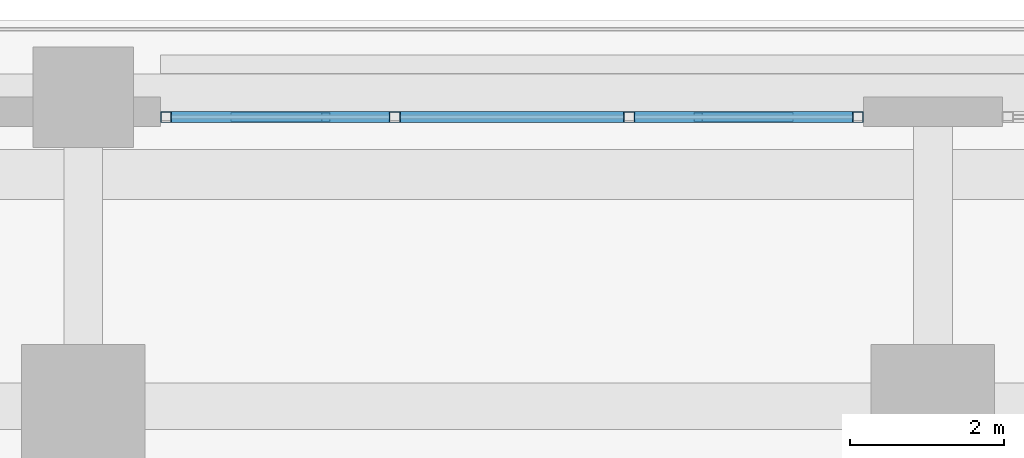
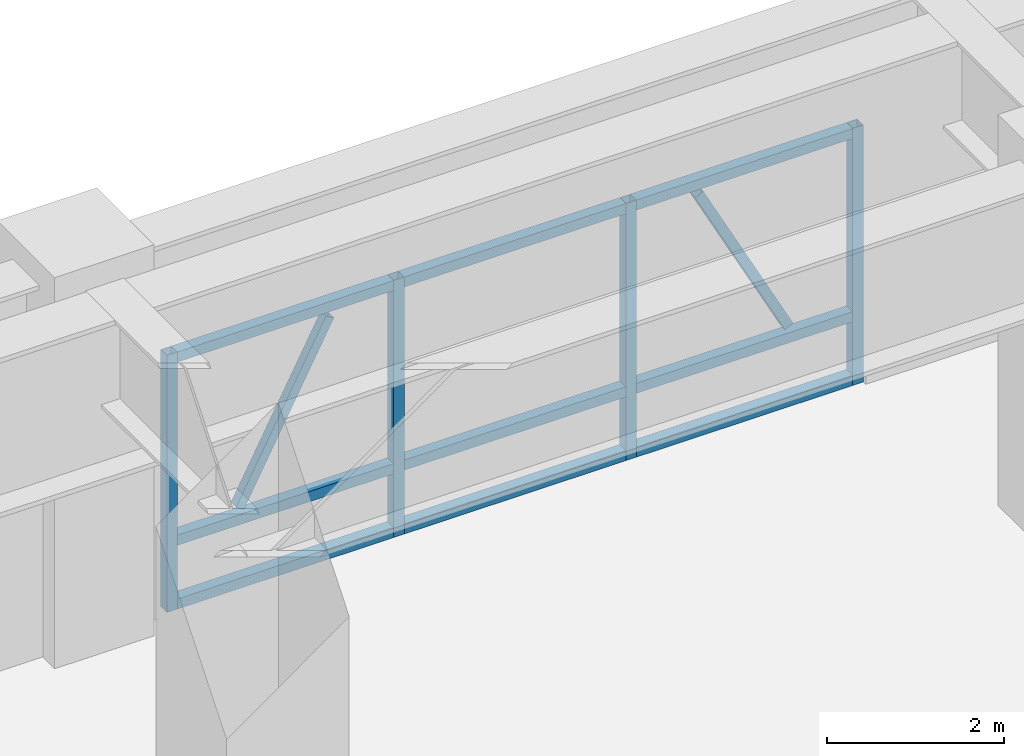
# One storey, part 10 of 28: 15 members, 1 element without a shape of its own.
"""IFC4 building model written with IfcOpenShell, lengths in metres."""

from ifc_helpers import new_model, si_unit, direction, frame, origin, origin_2d, place, context, subcontext, project, spatial, hollow_rectangle, extrude, source, transform, mapped, material, material_profile, profile_set, type_object, element, aggregate, save


model = new_model("IFC4")

# Units and contexts
model_context = context("Model", 3, precision=1e-05, world=origin(), true_north=direction((0.0, 1.0)))
body_context = subcontext(model_context, "Body", "Model", "MODEL_VIEW")
ifc_project = project(units=[si_unit("LENGTHUNIT", "METRE"), si_unit("AREAUNIT", "SQUARE_METRE"), si_unit("VOLUMEUNIT", "CUBIC_METRE"), si_unit("PLANEANGLEUNIT", "RADIAN"), si_unit("MASSUNIT", "GRAM", prefix="KILO")], contexts=[model_context])

# Site, building, storey
site_placement = place(None, origin())
site = spatial("IfcSite", under=ifc_project, at=site_placement, CompositionType="ELEMENT")
building_placement = place(site_placement, origin())
building = spatial("IfcBuilding", under=site, at=building_placement, Name="Khorayat Bourse Tower", CompositionType="ELEMENT")
storey_placement = place(building_placement, frame((0.0, 0.0, 12.0)))
storey = spatial("IfcBuildingStorey", under=building, at=storey_placement, Name="L02", CompositionType="ELEMENT", Elevation=12.0)

# Curtain wall, members
ifc_material = material(Name="Aluminium EN AW-6063 T6", Category="aluminium")
curtain_wall_type = type_object("IfcCurtainWallType", Name="CW-SYS-01", PredefinedType="NOTDEFINED", material=ifc_material)
curtain_wall_placement = place(storey_placement, origin())
curtain_wall = element("IfcCurtainWall", 1, at=curtain_wall_placement, inside=storey, type_object=curtain_wall_type, Name="L02 Curtain Wall CW-L02-NW", PredefinedType="NOTDEFINED")
ifc_material_profile_1 = material_profile(ifc_material, hollow_rectangle(XDim=0.139892578125, YDim=0.139892578125, WallThickness=0.006103515625, at=origin_2d()), Name="ALU 140x140x6")
ifc_profile_set_1 = profile_set([ifc_material_profile_1], Name="Aluminium EN AW-6063 T6")
member_type_1 = type_object("IfcMemberType", Name="CWT-HORZ-140", PredefinedType="USERDEFINED", material=ifc_profile_set_1)
shared_shape_1 = source(origin(), body_context, "Body", "SweptSolid", [
    extrude(hollow_rectangle(XDim=0.139892578125, YDim=0.139892578125, WallThickness=0.006103515625, at=origin_2d()), origin(), (0.0, 0.0, 1.0), 2.823486328125),
])
member_1_placement = place(storey_placement, frame((-7.03662109375, 35.742919921875, 0.070068359375), z_axis=(-1.0, 0.0, 0.0), x_axis=(0.0, -1.0, 0.0)))
member_1 = element("IfcMember", 2, at=member_1_placement, type_object=member_type_1, Name="CW-L02-NW Horizontal Transom 3-1", ObjectType="TRANSOM", PredefinedType="USERDEFINED", context=body_context, shape_type="MappedRepresentation", body=[
    mapped(shared_shape_1, transform((0.0, 0.0, 0.0), scale=1.0)),
])
member_2_placement = place(storey_placement, frame((-7.03662109375, 35.742919921875, 0.949951171875), z_axis=(-1.0, 0.0, 0.0), x_axis=(0.0, -1.0, 0.0)))
member_2 = element("IfcMember", 3, at=member_2_placement, type_object=member_type_1, Name="CW-L02-NW Horizontal Transom 3-2", ObjectType="TRANSOM", PredefinedType="USERDEFINED", context=body_context, shape_type="MappedRepresentation", body=[
    mapped(shared_shape_1, transform((0.0, 0.0, 0.0), scale=1.0)),
])
member_3_placement = place(storey_placement, frame((-7.03662109375, 35.742919921875, 3.47998046875), z_axis=(-1.0, 0.0, 0.0), x_axis=(0.0, -1.0, 0.0)))
member_3 = element("IfcMember", 4, at=member_3_placement, type_object=member_type_1, Name="CW-L02-NW Horizontal Transom 3-3", ObjectType="TRANSOM", PredefinedType="USERDEFINED", context=body_context, shape_type="MappedRepresentation", body=[
    mapped(shared_shape_1, transform((0.0, 0.0, 0.0), scale=1.0)),
])
ifc_material_profile_2 = material_profile(ifc_material, hollow_rectangle(XDim=0.1201171875, YDim=0.1201171875, WallThickness=0.0048828125, at=origin_2d()), Name="ALU 120x120x5")
ifc_profile_set_2 = profile_set([ifc_material_profile_2], Name="Aluminium EN AW-6063 T6")
member_type_2 = type_object("IfcMemberType", Name="CWM-DIAG-120", PredefinedType="MULLION", material=ifc_profile_set_2)
shared_shape_2 = source(origin(), body_context, "Body", "SweptSolid", [
    extrude(hollow_rectangle(XDim=0.1201171875, YDim=0.1201171875, WallThickness=0.0048828125, at=origin_2d()), origin(), (0.0, 0.0, 1.0), 2.52001953125),
])
member_4_placement = place(storey_placement, frame((-1.86474609375, 35.742919921875, 1.10009765625), z_axis=(-0.465794346287, 0.0, 0.884893003118), x_axis=(0.0, -1.0, 0.0)))
member_4 = element("IfcMember", 5, at=member_4_placement, type_object=member_type_2, Name="CW-L02-NW Faceted Diagonal Mullion 1", PredefinedType="MULLION", context=body_context, shape_type="MappedRepresentation", body=[
    mapped(shared_shape_2, transform((0.0, 0.0, 0.0), scale=1.0)),
])
member_5_placement = place(storey_placement, frame((-9.03515625, 35.742919921875, 1.10009765625), z_axis=(0.465718481425, 0.0, 0.884932933085), x_axis=(0.0, 1.0, 0.0)))
member_5 = element("IfcMember", 6, at=member_5_placement, type_object=member_type_2, Name="CW-L02-NW Faceted Diagonal Mullion 3", PredefinedType="MULLION", context=body_context, shape_type="MappedRepresentation", body=[
    mapped(shared_shape_2, transform((0.0, 0.0, 0.0), scale=1.0)),
])
shared_shape_3 = source(origin(), body_context, "Body", "SweptSolid", [
    extrude(hollow_rectangle(XDim=0.139892578125, YDim=0.139892578125, WallThickness=0.006103515625, at=origin_2d()), origin(), (0.0, 0.0, 1.0), 2.893310546875),
])
member_6_placement = place(storey_placement, frame((-4.00341796875, 35.742919921875, 0.070068359375), z_axis=(-1.0, 0.0, 0.0), x_axis=(0.0, -1.0, 0.0)))
member_6 = element("IfcMember", 7, at=member_6_placement, type_object=member_type_1, Name="CW-L02-NW Horizontal Transom 2-1", ObjectType="TRANSOM", PredefinedType="USERDEFINED", context=body_context, shape_type="MappedRepresentation", body=[
    mapped(shared_shape_3, transform((0.0, 0.0, 0.0), scale=1.0)),
])
member_7_placement = place(storey_placement, frame((-4.00341796875, 35.742919921875, 0.949951171875), z_axis=(-1.0, 0.0, 0.0), x_axis=(0.0, -1.0, 0.0)))
member_7 = element("IfcMember", 8, at=member_7_placement, type_object=member_type_1, Name="CW-L02-NW Horizontal Transom 2-2", ObjectType="TRANSOM", PredefinedType="USERDEFINED", context=body_context, shape_type="MappedRepresentation", body=[
    mapped(shared_shape_3, transform((0.0, 0.0, 0.0), scale=1.0)),
])
member_8_placement = place(storey_placement, frame((-4.00341796875, 35.742919921875, 3.47998046875), z_axis=(-1.0, 0.0, 0.0), x_axis=(0.0, -1.0, 0.0)))
member_8 = element("IfcMember", 9, at=member_8_placement, type_object=member_type_1, Name="CW-L02-NW Horizontal Transom 2-3", ObjectType="TRANSOM", PredefinedType="USERDEFINED", context=body_context, shape_type="MappedRepresentation", body=[
    mapped(shared_shape_3, transform((0.0, 0.0, 0.0), scale=1.0)),
])
shared_shape_4 = source(origin(), body_context, "Body", "SweptSolid", [
    extrude(hollow_rectangle(XDim=0.139892578125, YDim=0.139892578125, WallThickness=0.006103515625, at=origin_2d()), origin(), (0.0, 0.0, 1.0), 2.8232421875),
])
member_9_placement = place(storey_placement, frame((-1.0400390625, 35.742919921875, 0.070068359375), z_axis=(-1.0, 0.0, 0.0), x_axis=(0.0, -1.0, 0.0)))
member_9 = element("IfcMember", 10, at=member_9_placement, type_object=member_type_1, Name="CW-L02-NW Horizontal Transom 1-1", ObjectType="TRANSOM", PredefinedType="USERDEFINED", context=body_context, shape_type="MappedRepresentation", body=[
    mapped(shared_shape_4, transform((0.0, 0.0, 0.0), scale=1.0)),
])
member_10_placement = place(storey_placement, frame((-1.0400390625, 35.742919921875, 0.949951171875), z_axis=(-1.0, 0.0, 0.0), x_axis=(0.0, -1.0, 0.0)))
member_10 = element("IfcMember", 11, at=member_10_placement, type_object=member_type_1, Name="CW-L02-NW Horizontal Transom 1-2", ObjectType="TRANSOM", PredefinedType="USERDEFINED", context=body_context, shape_type="MappedRepresentation", body=[
    mapped(shared_shape_4, transform((0.0, 0.0, 0.0), scale=1.0)),
])
member_11_placement = place(storey_placement, frame((-1.0400390625, 35.742919921875, 3.47998046875), z_axis=(-1.0, 0.0, 0.0), x_axis=(0.0, -1.0, 0.0)))
member_11 = element("IfcMember", 12, at=member_11_placement, type_object=member_type_1, Name="CW-L02-NW Horizontal Transom 1-3", ObjectType="TRANSOM", PredefinedType="USERDEFINED", context=body_context, shape_type="MappedRepresentation", body=[
    mapped(shared_shape_4, transform((0.0, 0.0, 0.0), scale=1.0)),
])
ifc_material_profile_3 = material_profile(ifc_material, hollow_rectangle(XDim=0.139892578125, YDim=0.139892578125, WallThickness=0.006103515625, at=origin_2d()), Name="ALU 140x140x6")
ifc_profile_set_3 = profile_set([ifc_material_profile_3], Name="Aluminium EN AW-6063 T6")
member_type_3 = type_object("IfcMemberType", Name="CWM-VERT-140", PredefinedType="MULLION", material=ifc_profile_set_3)
shared_shape_5 = source(origin(), body_context, "Body", "SweptSolid", [
    extrude(hollow_rectangle(XDim=0.139892578125, YDim=0.139892578125, WallThickness=0.006103515625, at=origin_2d()), origin(), (0.0, 0.0, 1.0), 3.550048828125),
])
member_12_placement = place(storey_placement, frame((-0.969970703125, 35.742919921875, 0.0), z_axis=(0.0, 0.0, 1.0), x_axis=(0.0, -1.0, 0.0)))
member_12 = element("IfcMember", 13, at=member_12_placement, type_object=member_type_3, Name="CW-L02-NW Vertical Mullion 1", PredefinedType="MULLION", context=body_context, shape_type="MappedRepresentation", body=[
    mapped(shared_shape_5, transform((0.0, 0.0, 0.0), scale=1.0)),
])
member_13_placement = place(storey_placement, frame((-3.933349609375, 35.742919921875, 0.0), z_axis=(0.0, 0.0, 1.0), x_axis=(0.0, -1.0, 0.0)))
member_13 = element("IfcMember", 14, at=member_13_placement, type_object=member_type_3, Name="CW-L02-NW Vertical Mullion 2", PredefinedType="MULLION", context=body_context, shape_type="MappedRepresentation", body=[
    mapped(shared_shape_5, transform((0.0, 0.0, 0.0), scale=1.0)),
])
member_14_placement = place(storey_placement, frame((-6.966552734375, 35.742919921875, 0.0), z_axis=(0.0, 0.0, 1.0), x_axis=(0.0, -1.0, 0.0)))
member_14 = element("IfcMember", 15, at=member_14_placement, type_object=member_type_3, Name="CW-L02-NW Vertical Mullion 3", PredefinedType="MULLION", context=body_context, shape_type="MappedRepresentation", body=[
    mapped(shared_shape_5, transform((0.0, 0.0, 0.0), scale=1.0)),
])
member_15_placement = place(storey_placement, frame((-9.929931640625, 35.742919921875, 0.0), z_axis=(0.0, 0.0, 1.0), x_axis=(0.0, -1.0, 0.0)))
member_15 = element("IfcMember", 16, at=member_15_placement, type_object=member_type_3, Name="CW-L02-NW Vertical Mullion 4", PredefinedType="MULLION", context=body_context, shape_type="MappedRepresentation", body=[
    mapped(shared_shape_5, transform((0.0, 0.0, 0.0), scale=1.0)),
])
aggregate(curtain_wall, [member_12, member_13, member_14, member_15, member_9, member_10, member_11, member_4, member_6, member_7, member_8, member_1, member_2, member_3, member_5])

save(model, "model.ifc")
